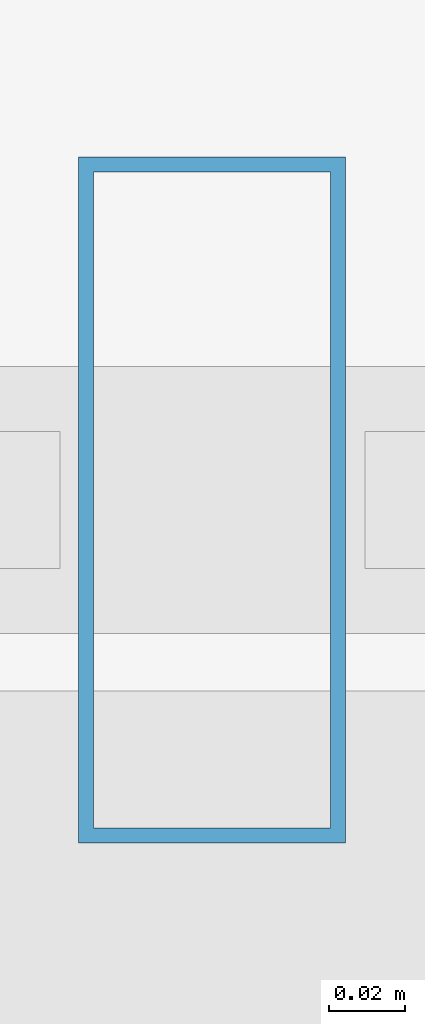
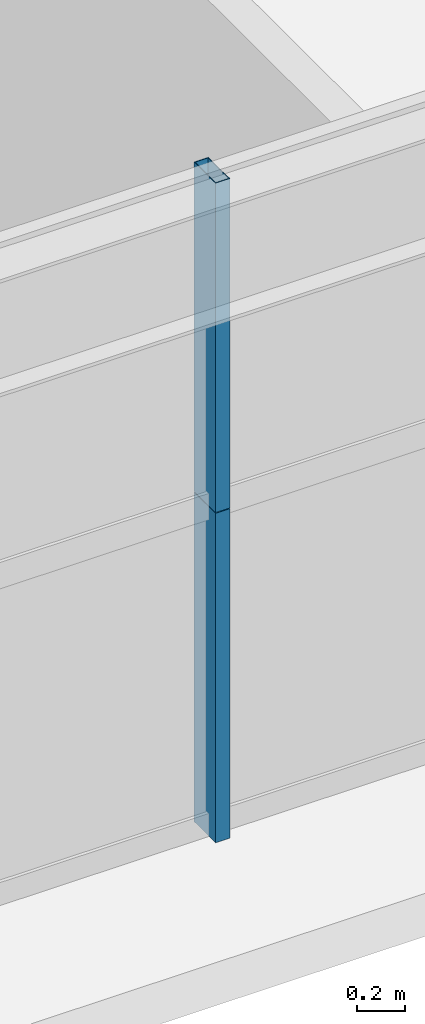
# One storey, part 5 of 43: 2 members, 1 element without a shape of its own.
"""IFC4 building model written with IfcOpenShell, lengths in metres."""

from ifc_helpers import new_model, si_unit, direction, frame, origin, origin_2d, place, context, subcontext, project, spatial, hollow_rectangle, extrude, source, transform, mapped, material, layer, layer_set, material_profile, profile_set, type_object, element, aggregate, save


model = new_model("IFC4")

# Units and contexts
model_context = context("Model", 3, precision=1e-05, world=origin(), true_north=direction((0.0, 1.0)))
body_context = subcontext(model_context, "Body", "Model", "MODEL_VIEW")
ifc_project = project(units=[si_unit("LENGTHUNIT", "METRE"), si_unit("AREAUNIT", "SQUARE_METRE"), si_unit("VOLUMEUNIT", "CUBIC_METRE"), si_unit("PLANEANGLEUNIT", "RADIAN"), si_unit("MASSUNIT", "GRAM", prefix="KILO"), si_unit("THERMODYNAMICTEMPERATUREUNIT", "KELVIN"), si_unit("POWERUNIT", "WATT")], contexts=[model_context])

# Site, building, storey
site_placement = place(None, origin())
site = spatial("IfcSite", under=ifc_project, at=site_placement, CompositionType="ELEMENT")
building_placement = place(site_placement, origin())
building = spatial("IfcBuilding", under=site, at=building_placement, Name="Yuzanri Waterfront Tower", CompositionType="ELEMENT")
storey_placement = place(building_placement, frame((0.0, 0.0, 67.60009765625)))
storey = spatial("IfcBuildingStorey", under=building, at=storey_placement, Name="L17", CompositionType="ELEMENT", Elevation=67.60009765625)

# Curtain wall, members
ifc_material_1 = material(Name="Anodized Architectural Bronze", Category="metal")
ifc_layer = layer(ifc_material_1, 0.159912109375)
ifc_layer_set = layer_set([ifc_layer], Name="Anodized Architectural Bronze")
curtain_wall_type = type_object("IfcCurtainWallType", Name="Anodized Bronze Hotel Lower-Tier Recessed Unitized Curtain Wall 8100", PredefinedType="NOTDEFINED", material=ifc_layer_set)
curtain_wall_placement = place(storey_placement, origin())
curtain_wall = element("IfcCurtainWall", 1, at=curtain_wall_placement, inside=storey, type_object=curtain_wall_type, Name="L17 Curtain Wall CW-L17-SL", PredefinedType="NOTDEFINED")
ifc_material_2 = material(Name="Anodized Architectural Bronze", Category="metal")
ifc_material_profile = material_profile(ifc_material_2, hollow_rectangle(XDim=0.070068359375, YDim=0.179931640625, WallThickness=0.00390625, at=origin_2d()), Name="CWM 70x180")
ifc_profile_set = profile_set([ifc_material_profile], Name="Anodized Architectural Bronze")
member_type = type_object("IfcMemberType", Name="Anodized Bronze Standard Curtain-Wall Mullion 70x180", PredefinedType="MULLION", material=ifc_profile_set)
shared_shape = source(origin(), body_context, "Body", "SweptSolid", [
    extrude(hollow_rectangle(XDim=0.070068359375, YDim=0.179931640625, WallThickness=0.00390625, at=origin_2d()), origin(), (0.0, 0.0, 1.0), 1.68798828125),
])
member_1_placement = place(storey_placement, frame((27.89990234375, 0.85009765625, 0.0), z_axis=(0.0, 0.0, 1.0), x_axis=(1.0, 0.0, 0.0)))
member_1 = element("IfcMember", 2, at=member_1_placement, type_object=member_type, Name="CW-L17-SL Lower Mullion 01", PredefinedType="MULLION", context=body_context, shape_type="MappedRepresentation", body=[
    mapped(shared_shape, transform((0.0, 0.0, 0.0), scale=1.0)),
])
member_2_placement = place(storey_placement, frame((27.89990234375, 0.85009765625, 1.69189453125), z_axis=(0.0, 0.0, 1.0), x_axis=(1.0, 0.0, 0.0)))
member_2 = element("IfcMember", 3, at=member_2_placement, type_object=member_type, Name="CW-L17-SL Upper Mullion 01", PredefinedType="MULLION", context=body_context, shape_type="MappedRepresentation", body=[
    mapped(shared_shape, transform((0.0, 0.0, 0.0), scale=1.0)),
])
aggregate(curtain_wall, [member_1, member_2])

save(model, "model.ifc")
